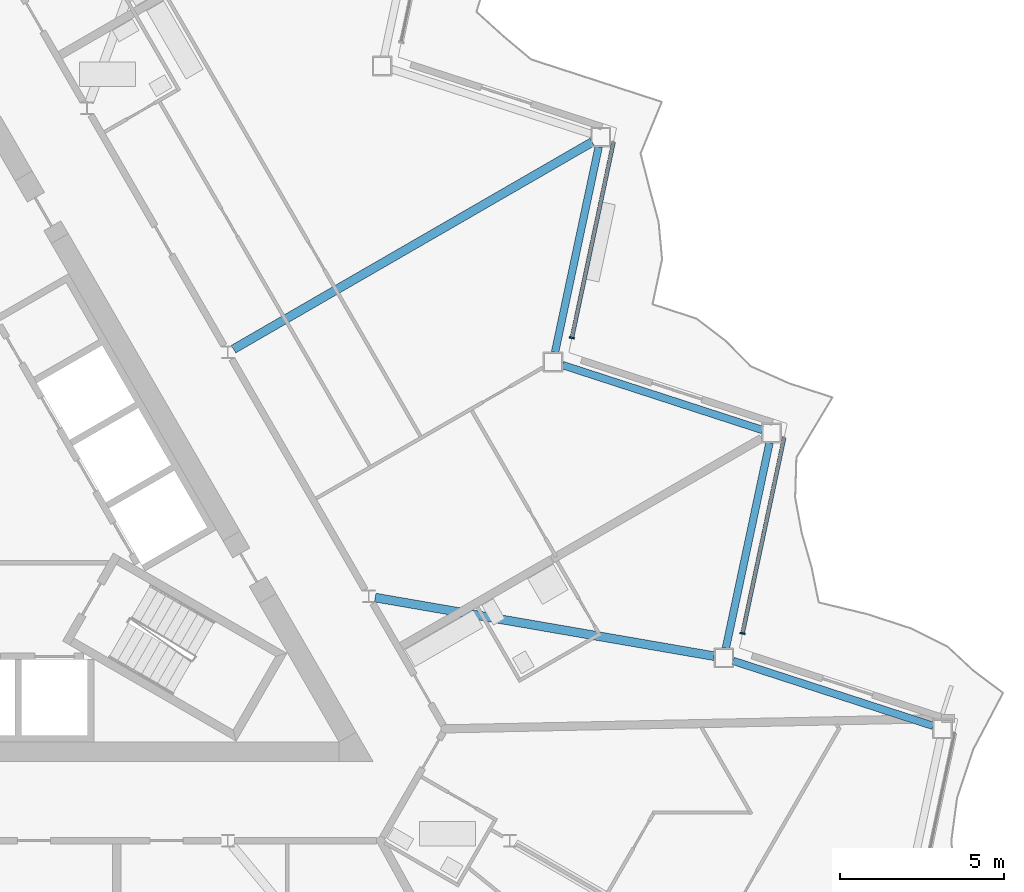
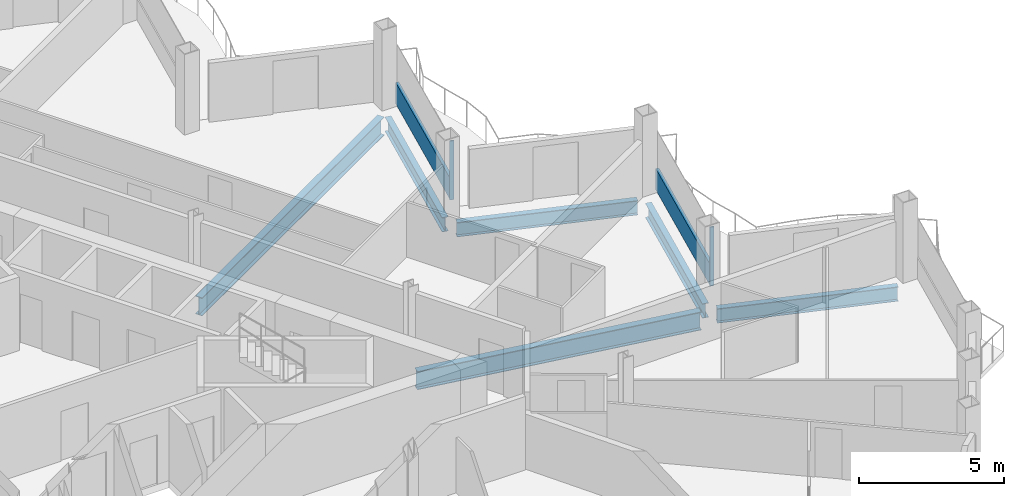
# One storey, part 9 of 27: 6 beams, 4 members, 2 elements without a shape of their own.
"""IFC4 building model written with IfcOpenShell, lengths in metres."""

import ifcopenshell
import ifcopenshell.guid

model = None  # the IFC model being written
_history = None  # IfcOwnerHistory: only IFC2X3 demands one
_inside = {}  # id of a spatial element -> (the spatial element, [elements in it])
_under = {}  # id of a project, library or spatial element -> (it, [spatial elements below it])
_declared = {}  # id of a project -> (the project, [libraries it declares])
_typed = {}  # id of a type object -> (the type object, [elements of that type])
_made_of = {}  # id of a material, layer set ... -> (it, [elements and type objects made of it])


def new_model(schema):
    """Start an empty IFC model of exactly this schema.

    Asked for "IFC4X3", IfcOpenShell would pick the latest addendum, in which some entities
    have other attributes; the version numbers below select the first issue.
    IFC2X3 requires an IfcOwnerHistory on every rooted entity: one is made here for all.
    """
    global model, _history
    if schema == "IFC4X3":
        model = ifcopenshell.file(schema_version=(4, 3, 0, 0))
    else:
        model = ifcopenshell.file(schema=schema)
    _inside.clear()
    _under.clear()
    _declared.clear()
    _typed.clear()
    _made_of.clear()
    _history = None
    if model.schema == "IFC2X3":
        org = make("IfcOrganization", Name="unknown")
        user = make(
            "IfcPersonAndOrganization",
            ThePerson=make("IfcPerson", FamilyName="unknown"),
            TheOrganization=org,
        )
        app = make(
            "IfcApplication",
            ApplicationDeveloper=org,
            Version="unknown",
            ApplicationFullName="unknown",
            ApplicationIdentifier="unknown",
        )
        _history = make(
            "IfcOwnerHistory",
            OwningUser=user,
            OwningApplication=app,
            ChangeAction="ADDED",
            CreationDate=0,
        )
    return model


def make(cls, **values):
    """One entity of the class cls with the attributes given. An attribute that is None is left unset."""
    return model.create_entity(
        cls, **{name: value for name, value in values.items() if value is not None}
    )


def rooted(cls, **values):
    """An entity with a GlobalId (a new one), such as an element, a storey or a relation."""
    return make(cls, GlobalId=ifcopenshell.guid.new(), OwnerHistory=_history, **values)


def si_unit(unit_type, name, prefix=None):
    """IfcSIUnit, for example si_unit("LENGTHUNIT", "METRE", prefix="MILLI")."""
    return make("IfcSIUnit", UnitType=unit_type, Prefix=prefix, Name=name)


def assignment(units):
    """IfcUnitAssignment: the units of a project."""
    return None if units is None else make("IfcUnitAssignment", Units=units)


def point(xyz):
    """IfcCartesianPoint."""
    return None if xyz is None else make("IfcCartesianPoint", Coordinates=xyz)


def direction(xyz):
    """IfcDirection."""
    return None if xyz is None else make("IfcDirection", DirectionRatios=xyz)


def frame(location, z_axis=None, x_axis=None):
    """IfcAxis2Placement3D, a coordinate frame: its origin and axes. An axis left out is left unset."""
    return make(
        "IfcAxis2Placement3D",
        Location=point(location),
        Axis=direction(z_axis),
        RefDirection=direction(x_axis),
    )


def frame_2d(location, x_axis=None):
    """IfcAxis2Placement2D, a coordinate frame in the plane: its origin and x axis."""
    return make(
        "IfcAxis2Placement2D", Location=point(location), RefDirection=direction(x_axis)
    )


def origin():
    """The frame at (0, 0, 0) with its axes left unset."""
    return frame((0.0, 0.0, 0.0))


def origin_2d():
    """The frame at (0, 0) in the plane with its x axis left unset."""
    return frame_2d((0.0, 0.0))


def place(relative_to, where):
    """IfcLocalPlacement: puts the frame where relative to a parent placement (None: the world)."""
    return make(
        "IfcLocalPlacement", PlacementRelTo=relative_to, RelativePlacement=where
    )


def context(
    kind, dimensions, precision=None, world=None, true_north=None, identifier=None
):
    """IfcGeometricRepresentationContext, for example the 3D "Model" context."""
    return make(
        "IfcGeometricRepresentationContext",
        ContextIdentifier=identifier,
        ContextType=kind,
        CoordinateSpaceDimension=dimensions,
        Precision=precision,
        WorldCoordinateSystem=world,
        TrueNorth=true_north,
    )


def subcontext(parent, identifier, kind, view, scale=None):
    """IfcGeometricRepresentationSubContext, for example "Body" below "Model"."""
    return make(
        "IfcGeometricRepresentationSubContext",
        ContextIdentifier=identifier,
        ContextType=kind,
        ParentContext=parent,
        TargetScale=scale,
        TargetView=view,
    )


def project(units=None, contexts=None):
    """IfcProject with its units and contexts."""
    return rooted(
        "IfcProject",
        Name="project",
        RepresentationContexts=contexts,
        UnitsInContext=assignment(units),
    )


def spatial(cls, under=None, at=None, **own):
    """A site, building, storey or space (cls), placed at a placement, below another one or the project."""
    s = rooted(cls, ObjectPlacement=at, **own)
    if under is not None:
        _under.setdefault(under.id(), (under, []))[1].append(s)
    return s


def profile(cls, at=None, kind="AREA", **sizes):
    """A parametric profile (cls). Its sizes go by their IFC names, for example OverallWidth=200.0."""
    return make(cls, ProfileType=kind, Position=at, **sizes)


def rectangle(**sizes):
    """IfcRectangleProfileDef."""
    return profile("IfcRectangleProfileDef", **sizes)


def i_section(**sizes):
    """IfcIShapeProfileDef."""
    return profile("IfcIShapeProfileDef", **sizes)


def extrude(swept, where, along, depth):
    """IfcExtrudedAreaSolid: the profile swept, set in the frame where, extruded along a direction by depth."""
    return make(
        "IfcExtrudedAreaSolid",
        SweptArea=swept,
        Position=where,
        ExtrudedDirection=direction(along),
        Depth=depth,
    )


def shape(context_of_items, identifier, shape_type, items):
    """IfcShapeRepresentation: the items that make up one representation, for example the "Body"."""
    return make(
        "IfcShapeRepresentation",
        ContextOfItems=context_of_items,
        RepresentationIdentifier=identifier,
        RepresentationType=shape_type,
        Items=items,
    )


def material(Name=None, Category=None):
    """IfcMaterial."""
    return make("IfcMaterial", Name=Name, Category=Category)


def layer(
    of_material, thickness, ventilated=None, Name=None, Category=None, Priority=None
):
    """IfcMaterialLayer: one layer of a wall or slab, of a material (None: an air gap)."""
    return make(
        "IfcMaterialLayer",
        Material=of_material,
        LayerThickness=thickness,
        IsVentilated=ventilated,
        Name=Name,
        Category=Category,
        Priority=Priority,
    )


def layer_set(layers, Name=None):
    """IfcMaterialLayerSet."""
    return make("IfcMaterialLayerSet", MaterialLayers=layers, LayerSetName=Name)


def material_profile(
    of_material, cross_section, Name=None, Category=None, Priority=None
):
    """IfcMaterialProfile: a cross section and its material."""
    return make(
        "IfcMaterialProfile",
        Name=Name,
        Material=of_material,
        Profile=cross_section,
        Priority=Priority,
        Category=Category,
    )


def profile_set(profiles, Name=None, composite=None):
    """IfcMaterialProfileSet."""
    return make(
        "IfcMaterialProfileSet",
        Name=Name,
        MaterialProfiles=profiles,
        CompositeProfile=composite,
    )


def made_of(thing, what):
    """Note that an element or type object is made of a material, layer set ...; save() writes the relation."""
    if what is not None:
        _made_of.setdefault(what.id(), (what, []))[1].append(thing)
    return thing


def type_object(cls, material=None, **own):
    """A type object (cls), such as IfcWallType, which elements share."""
    return made_of(rooted(cls, **own), material)


def element(
    cls,
    number,
    at=None,
    inside=None,
    cuts=None,
    type_object=None,
    material=None,
    context=None,
    identifier="Body",
    shape_type=None,
    held_by="IfcProductDefinitionShape",
    body=None,
    shapes=None,
    **own,
):
    """One element of the class cls, such as IfcWall. Its Tag is "e" and its number.

    at: its placement. inside: the storey or other place that contains it. cuts: it is an
    opening in that element (IfcRelVoidsElement). A single representation is given by context,
    identifier, shape_type and body (its items); several are given by shapes. held_by: the class
    of the entity that holds the representations. save() writes the other relations.
    """
    e = rooted(cls, Tag="e%d" % number, ObjectPlacement=at, **own)
    if body is not None:
        shapes = [shape(context, identifier, shape_type, body)]
    if shapes is not None:
        e.Representation = make(held_by, Representations=shapes)
    if inside is not None:
        _inside.setdefault(inside.id(), (inside, []))[1].append(e)
    if cuts is not None:
        rooted(
            "IfcRelVoidsElement", RelatingBuildingElement=cuts, RelatedOpeningElement=e
        )
    if type_object is not None:
        _typed.setdefault(type_object.id(), (type_object, []))[1].append(e)
    return made_of(e, material)


def aggregate(whole, parts):
    """IfcRelAggregates: a whole, such as a stair, and the parts it consists of."""
    return rooted("IfcRelAggregates", RelatingObject=whole, RelatedObjects=parts)


def save(model, path):
    """Write the relations noted so far, then the file.

    IfcRelAggregates (storeys below a building ...), IfcRelContainedInSpatialStructure (elements
    in a storey), IfcRelDefinesByType, IfcRelAssociatesMaterial and IfcRelDeclares: one each for
    every whole, place, type object, material and project.
    """
    for whole, parts in _under.values():
        aggregate(whole, parts)
    for where, things in _inside.values():
        rooted(
            "IfcRelContainedInSpatialStructure",
            RelatedElements=things,
            RelatingStructure=where,
        )
    for kind, things in _typed.values():
        rooted("IfcRelDefinesByType", RelatedObjects=things, RelatingType=kind)
    for what, things in _made_of.values():
        rooted("IfcRelAssociatesMaterial", RelatedObjects=things, RelatingMaterial=what)
    for by, libraries in _declared.values():
        rooted("IfcRelDeclares", RelatingContext=by, RelatedDefinitions=libraries)
    model.write(path)


model = new_model("IFC4")

# Units and contexts
model_context = context("Model", 3, precision=1e-05, world=origin(), true_north=direction((0.0, 1.0)))
body_context = subcontext(model_context, "Body", "Model", "MODEL_VIEW")
ifc_project = project(units=[si_unit("LENGTHUNIT", "METRE"), si_unit("AREAUNIT", "SQUARE_METRE"), si_unit("VOLUMEUNIT", "CUBIC_METRE"), si_unit("PLANEANGLEUNIT", "RADIAN"), si_unit("MASSUNIT", "GRAM", prefix="KILO")], contexts=[model_context])

# Site, building, storey
site_placement = place(None, origin())
site = spatial("IfcSite", under=ifc_project, at=site_placement, CompositionType="ELEMENT")
building_placement = place(site_placement, origin())
building = spatial("IfcBuilding", under=site, at=building_placement, Name="Cormorant Prow Tower", CompositionType="ELEMENT")
storey_placement = place(building_placement, frame((0.0, 0.0, 318.800048828125)))
storey = spatial("IfcBuildingStorey", under=building, at=storey_placement, Name="L70", CompositionType="ELEMENT", Elevation=318.800048828125)

# Beams
ifc_material_1 = material(Name="Structural steel ASTM A992 Gr 50", Category="steel")
ifc_material_profile_1 = material_profile(ifc_material_1, i_section(OverallWidth=0.267822265625, OverallDepth=0.77001953125, WebThickness=0.015625, FlangeThickness=0.025390625, at=origin_2d()), Name="W30x132")
ifc_profile_set_1 = profile_set([ifc_material_profile_1], Name="Structural steel ASTM A992 Gr 50")
beam_type_1 = type_object("IfcBeamType", Name="Radial floor beam W30x132", PredefinedType="BEAM", material=ifc_profile_set_1)
beam_1_placement = place(storey_placement, frame((13.0625, -2.510009765625, -0.68505859375), z_axis=(0.985379592304, -0.170373293304, 0.0), x_axis=(0.170373293304, 0.985379592304, 0.0)))
element("IfcBeam", 1, at=beam_1_placement, inside=storey, type_object=beam_type_1, Name="Radial floor beam FB3 10 L70", PredefinedType="BEAM", context=body_context, shape_type="SweptSolid", body=[
    extrude(i_section(OverallWidth=0.267822265625, OverallDepth=0.77001953125, WebThickness=0.015625, FlangeThickness=0.025390625, at=origin_2d()), origin(), (0.0, 0.0, 1.0), 10.465087890625),
])
beam_2_placement = place(storey_placement, frame((8.749755859375, 5.051513671875, -0.68505859375), z_axis=(0.866021086443, 0.50000747778, 0.0), x_axis=(-0.50000747778, 0.866021086443, 0.0)))
element("IfcBeam", 2, at=beam_2_placement, inside=storey, type_object=beam_type_1, Name="Radial floor beam FB3 11 L70", PredefinedType="BEAM", context=body_context, shape_type="SweptSolid", body=[
    extrude(i_section(OverallWidth=0.267822265625, OverallDepth=0.77001953125, WebThickness=0.015625, FlangeThickness=0.025390625, at=origin_2d()), origin(), (0.0, 0.0, 1.0), 12.604736328125),
])

# Curtain wall, member
ifc_material_2 = material(Name="Aluminium 6063-T6", Category="aluminium")
ifc_layer = layer(ifc_material_2, 0.159912109375)
ifc_layer_set = layer_set([ifc_layer], Name="Aluminium 6063-T6")
curtain_wall_type = type_object("IfcCurtainWallType", Name="Residential unitised curtain wall 160", PredefinedType="NOTDEFINED", material=ifc_layer_set)
curtain_wall_1_placement = place(storey_placement, origin())
curtain_wall_1 = element("IfcCurtainWall", 3, at=curtain_wall_1_placement, inside=storey, type_object=curtain_wall_type, Name="Residential curtain wall ENE02", PredefinedType="NOTDEFINED")
ifc_material_3 = material(Name="Aluminium 6063-T6", Category="aluminium")
ifc_material_profile_2 = material_profile(ifc_material_3, rectangle(XDim=0.159912109375, YDim=0.050048828125, at=origin_2d()), Name="Residential mullion 50x160")
ifc_profile_set_2 = profile_set([ifc_material_profile_2], Name="Aluminium 6063-T6")
member_type_1 = type_object("IfcMemberType", Name="Residential mullion 50x160", PredefinedType="MULLION", material=ifc_profile_set_2)
member_1_placement = place(storey_placement, frame((24.240966796875, -3.59912109375, 0.0), z_axis=(0.0, 0.0, 1.0), x_axis=(-0.978147586048, 0.207911759908, 0.0)))
member_1 = element("IfcMember", 4, at=member_1_placement, type_object=member_type_1, Name="Residential mullion ENE02", PredefinedType="MULLION", context=body_context, shape_type="SweptSolid", body=[
    extrude(rectangle(XDim=0.159912109375, YDim=0.050048828125, at=origin_2d()), origin(), (0.0, 0.0, 1.0), 2.48779296875),
])

curtain_wall_2_placement = place(storey_placement, origin())
curtain_wall_2 = element("IfcCurtainWall", 5, at=curtain_wall_2_placement, inside=storey, type_object=curtain_wall_type, Name="Residential curtain wall ENE04", PredefinedType="NOTDEFINED")
member_2_placement = place(storey_placement, frame((19.048095703125, 5.39501953125, 0.0), z_axis=(0.0, 0.0, 1.0), x_axis=(-0.978147586048, 0.207911759908, 0.0)))
member_2 = element("IfcMember", 6, at=member_2_placement, type_object=member_type_1, Name="Residential mullion ENE04", PredefinedType="MULLION", context=body_context, shape_type="SweptSolid", body=[
    extrude(rectangle(XDim=0.159912109375, YDim=0.050048828125, at=origin_2d()), origin(), (0.0, 0.0, 1.0), 2.48779296875),
])

# Member
ifc_material_4 = material(Name="Terracotta", Category="masonry")
ifc_material_profile_3 = material_profile(ifc_material_4, rectangle(XDim=0.1201171875, YDim=0.89990234375, at=origin_2d()), Name="Residential terracotta spandrel rail 120x900")
ifc_profile_set_3 = profile_set([ifc_material_profile_3], Name="Terracotta")
member_type_2 = type_object("IfcMemberType", Name="Residential terracotta spandrel rail 120x900", PredefinedType="USERDEFINED", material=ifc_profile_set_3)
member_3_placement = place(storey_placement, frame((24.24609375, -3.57470703125, 0.449951171875), z_axis=(0.207913597079, 0.978147195544, 0.0), x_axis=(-0.978147195544, 0.207913597079, 0.0)))
member_3 = element("IfcMember", 7, at=member_3_placement, type_object=member_type_2, Name="Residential spandrel rail ENE02", ObjectType="TRANSOM", PredefinedType="USERDEFINED", context=body_context, shape_type="SweptSolid", body=[
    extrude(rectangle(XDim=0.1201171875, YDim=0.89990234375, at=origin_2d()), origin(), (0.0, 0.0, 1.0), 6.069580078125),
])

aggregate(curtain_wall_1, [member_1, member_3])

member_4_placement = place(storey_placement, frame((19.05322265625, 5.419677734375, 0.449951171875), z_axis=(0.207913597079, 0.978147195544, 0.0), x_axis=(-0.978147195544, 0.207913597079, 0.0)))
member_4 = element("IfcMember", 8, at=member_4_placement, type_object=member_type_2, Name="Residential spandrel rail ENE04", ObjectType="TRANSOM", PredefinedType="USERDEFINED", context=body_context, shape_type="SweptSolid", body=[
    extrude(rectangle(XDim=0.1201171875, YDim=0.89990234375, at=origin_2d()), origin(), (0.0, 0.0, 1.0), 6.069580078125),
])

aggregate(curtain_wall_2, [member_2, member_4])

# Beams
ifc_material_5 = material(Name="Structural steel ASTM A992 Gr 50", Category="steel")
ifc_material_profile_4 = material_profile(ifc_material_5, i_section(OverallWidth=0.22900390625, OverallDepth=0.612060546875, WebThickness=0.011962890625, FlangeThickness=0.01953125, at=origin_2d()), Name="W24x84")
ifc_profile_set_4 = profile_set([ifc_material_profile_4], Name="Structural steel ASTM A992 Gr 50")
beam_type_2 = type_object("IfcBeamType", Name="Spandrel beam W24x84", PredefinedType="SPANDREL", material=ifc_profile_set_4)
beam_3_placement = place(storey_placement, frame((30.038330078125, -6.413330078125, -0.606201171875), z_axis=(-0.951064359156, 0.308992855489, 0.0), x_axis=(-0.308992855489, -0.951064359156, 0.0)))
element("IfcBeam", 9, at=beam_3_placement, inside=storey, type_object=beam_type_2, Name="Spandrel beam SB3 ENE01-ENE02 L70", PredefinedType="SPANDREL", context=body_context, shape_type="SweptSolid", body=[
    extrude(i_section(OverallWidth=0.22900390625, OverallDepth=0.612060546875, WebThickness=0.011962890625, FlangeThickness=0.01953125, at=origin_2d()), origin(), (0.0, 0.0, 1.0), 6.39599609375),
])
beam_4_placement = place(storey_placement, frame((23.732421875, -4.05078125, -0.606201171875), z_axis=(0.20791262393, 0.978147402394, 0.0), x_axis=(-0.978147402394, 0.20791262393, 0.0)))
element("IfcBeam", 10, at=beam_4_placement, inside=storey, type_object=beam_type_2, Name="Spandrel beam SB3 ENE02-ENE03 L70", PredefinedType="SPANDREL", context=body_context, shape_type="SweptSolid", body=[
    extrude(i_section(OverallWidth=0.22900390625, OverallDepth=0.612060546875, WebThickness=0.011962890625, FlangeThickness=0.01953125, at=origin_2d()), origin(), (0.0, 0.0, 1.0), 6.396240234375),
])
beam_5_placement = place(storey_placement, frame((24.83935546875, 2.591796875, -0.606201171875), z_axis=(-0.951064359156, 0.308992855489, 0.0), x_axis=(-0.308992855489, -0.951064359156, 0.0)))
element("IfcBeam", 11, at=beam_5_placement, inside=storey, type_object=beam_type_2, Name="Spandrel beam SB3 ENE03-ENE04 L70", PredefinedType="SPANDREL", context=body_context, shape_type="SweptSolid", body=[
    extrude(i_section(OverallWidth=0.22900390625, OverallDepth=0.612060546875, WebThickness=0.011962890625, FlangeThickness=0.01953125, at=origin_2d()), origin(), (0.0, 0.0, 1.0), 6.39599609375),
])
beam_6_placement = place(storey_placement, frame((18.533447265625, 4.954345703125, -0.606201171875), z_axis=(0.20791262393, 0.978147402394, 0.0), x_axis=(-0.978147402394, 0.20791262393, 0.0)))
element("IfcBeam", 12, at=beam_6_placement, inside=storey, type_object=beam_type_2, Name="Spandrel beam SB3 ENE04-ENE05 L70", PredefinedType="SPANDREL", context=body_context, shape_type="SweptSolid", body=[
    extrude(i_section(OverallWidth=0.22900390625, OverallDepth=0.612060546875, WebThickness=0.011962890625, FlangeThickness=0.01953125, at=origin_2d()), origin(), (0.0, 0.0, 1.0), 6.396240234375),
])

save(model, "model.ifc")
